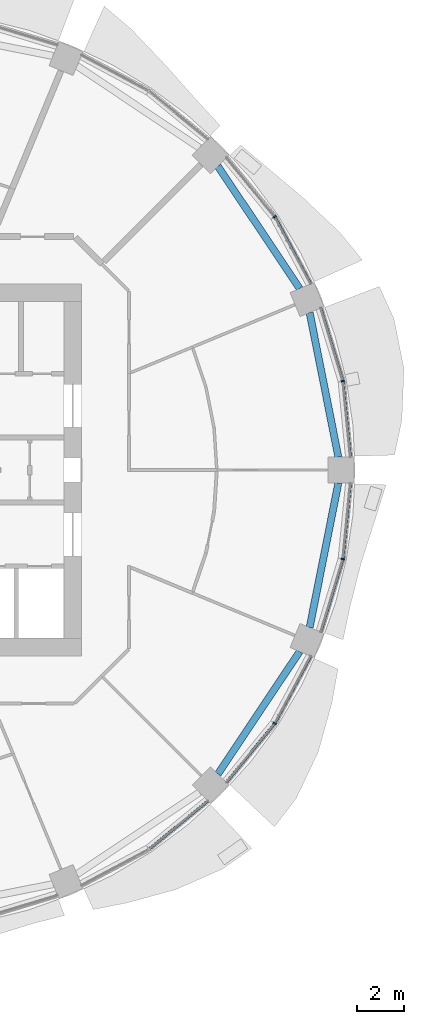
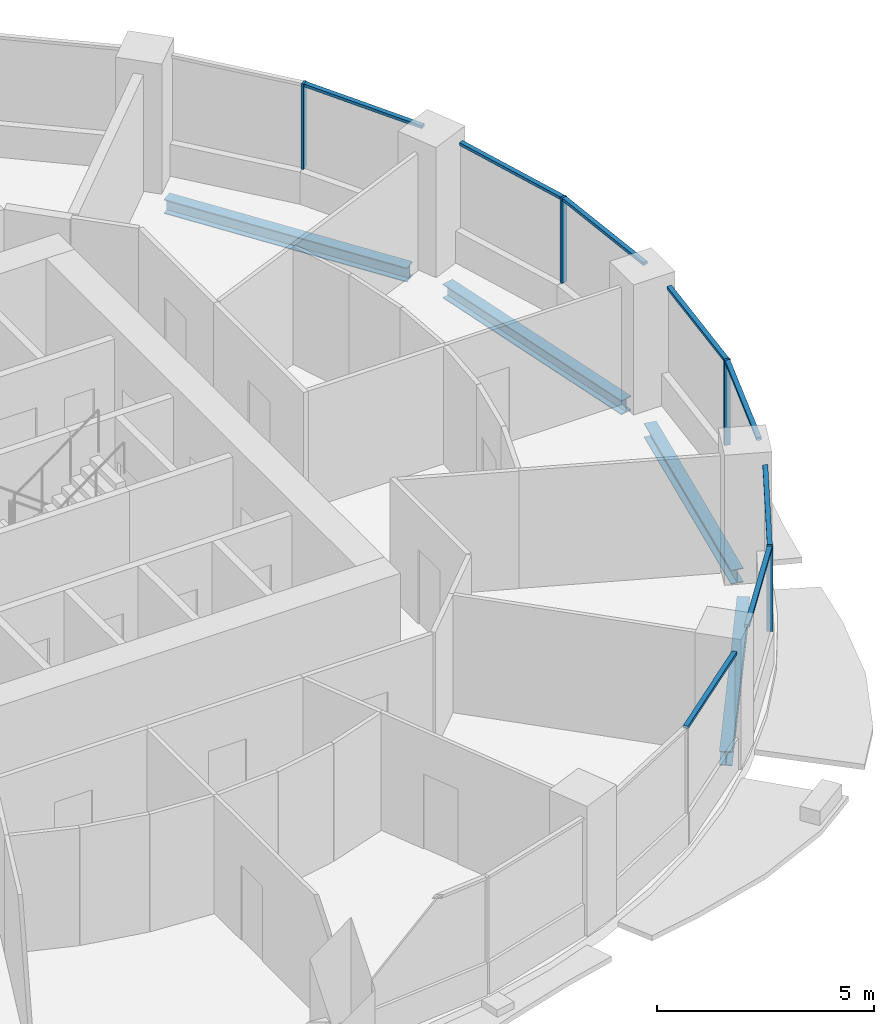
# One storey, part 5 of 15: 12 members, 4 beams, 5 elements without a shape of their own.
"""IFC4 building model written with IfcOpenShell, lengths in metres."""

from ifc_helpers import new_model, si_unit, direction, frame, origin, origin_2d, place, context, subcontext, project, spatial, rectangle, i_section, extrude, material, material_profile, profile_set, type_object, element, aggregate, save


model = new_model("IFC4")

# Units and contexts
model_context = context("Model", 3, precision=1e-05, world=origin(), true_north=direction((0.0, 1.0)))
body_context = subcontext(model_context, "Body", "Model", "MODEL_VIEW")
ifc_project = project(units=[si_unit("LENGTHUNIT", "METRE"), si_unit("AREAUNIT", "SQUARE_METRE"), si_unit("VOLUMEUNIT", "CUBIC_METRE"), si_unit("PLANEANGLEUNIT", "RADIAN"), si_unit("MASSUNIT", "GRAM", prefix="KILO")], contexts=[model_context])

# Site, building, storey
site_placement = place(None, origin())
site = spatial("IfcSite", under=ifc_project, at=site_placement, CompositionType="ELEMENT")
building_placement = place(site_placement, origin())
building = spatial("IfcBuilding", under=site, at=building_placement, Name="Polderwave Tower", CompositionType="ELEMENT")
storey_placement = place(building_placement, frame((0.0, 0.0, 72.75)))
storey = spatial("IfcBuildingStorey", under=building, at=storey_placement, Name="L18", CompositionType="ELEMENT", Elevation=72.75)

# Curtain wall, member
ifc_material_1 = material(Name="Aluminium 6063-T6 and glass", Category="aluminium")
curtain_wall_type = type_object("IfcCurtainWallType", Name="Growing floor ribbon glazing wall", PredefinedType="NOTDEFINED", material=ifc_material_1)
curtain_wall_1_placement = place(storey_placement, origin())
curtain_wall_1 = element("IfcCurtainWall", 1, at=curtain_wall_1_placement, inside=storey, type_object=curtain_wall_type, Name="CW2 L18 00", PredefinedType="NOTDEFINED")
ifc_material_2 = material(Name="Aluminium 6063-T6", Category="aluminium")
ifc_material_profile_1 = material_profile(ifc_material_2, rectangle(XDim=0.14990234375, YDim=0.06005859375, at=origin_2d()), Name="AL 60x150")
ifc_profile_set_1 = profile_set([ifc_material_profile_1], Name="Aluminium 6063-T6")
member_type_1 = type_object("IfcMemberType", Name="Growing floor ribbon glazing mullion 60x150", PredefinedType="MULLION", material=ifc_profile_set_1)
member_1_placement = place(storey_placement, frame((18.9189453125, 3.762939453125, 0.89990234375), z_axis=(0.0, 0.0, 1.0), x_axis=(-0.980778810424, -0.19512284598, 0.0)))
member_1 = element("IfcMember", 2, at=member_1_placement, type_object=member_type_1, Name="CW2 mullion 1", PredefinedType="MULLION", context=body_context, shape_type="SweptSolid", body=[
    extrude(rectangle(XDim=0.14990234375, YDim=0.06005859375, at=origin_2d()), origin(), (0.0, 0.0, 1.0), 2.400146484375),
])

curtain_wall_2_placement = place(storey_placement, origin())
curtain_wall_2 = element("IfcCurtainWall", 3, at=curtain_wall_2_placement, inside=storey, type_object=curtain_wall_type, Name="CW2 L18 01", PredefinedType="NOTDEFINED")
member_2_placement = place(storey_placement, frame((16.0390625, 10.717041015625, 0.89990234375), z_axis=(0.0, 0.0, 1.0), x_axis=(-0.831519061311, -0.555496220219, 0.0)))
member_2 = element("IfcMember", 4, at=member_2_placement, type_object=member_type_1, Name="CW2 mullion 1", PredefinedType="MULLION", context=body_context, shape_type="SweptSolid", body=[
    extrude(rectangle(XDim=0.14990234375, YDim=0.06005859375, at=origin_2d()), origin(), (0.0, 0.0, 1.0), 2.400146484375),
])

curtain_wall_3_placement = place(storey_placement, origin())
curtain_wall_3 = element("IfcCurtainWall", 5, at=curtain_wall_3_placement, inside=storey, type_object=curtain_wall_type, Name="CW2 L18 14", PredefinedType="NOTDEFINED")
member_3_placement = place(storey_placement, frame((16.0390625, -10.717041015625, 0.89990234375), z_axis=(0.0, 0.0, 1.0), x_axis=(-0.831519061311, 0.555496220219, 0.0)))
member_3 = element("IfcMember", 6, at=member_3_placement, type_object=member_type_1, Name="CW2 mullion 1", PredefinedType="MULLION", context=body_context, shape_type="SweptSolid", body=[
    extrude(rectangle(XDim=0.14990234375, YDim=0.06005859375, at=origin_2d()), origin(), (0.0, 0.0, 1.0), 2.400146484375),
])

curtain_wall_4_placement = place(storey_placement, origin())
curtain_wall_4 = element("IfcCurtainWall", 7, at=curtain_wall_4_placement, inside=storey, type_object=curtain_wall_type, Name="CW2 L18 15", PredefinedType="NOTDEFINED")
member_4_placement = place(storey_placement, frame((18.9189453125, -3.762939453125, 0.89990234375), z_axis=(0.0, 0.0, 1.0), x_axis=(-0.980778810424, 0.19512284598, 0.0)))
member_4 = element("IfcMember", 8, at=member_4_placement, type_object=member_type_1, Name="CW2 mullion 1", PredefinedType="MULLION", context=body_context, shape_type="SweptSolid", body=[
    extrude(rectangle(XDim=0.14990234375, YDim=0.06005859375, at=origin_2d()), origin(), (0.0, 0.0, 1.0), 2.400146484375),
])

# Member
ifc_material_profile_2 = material_profile(ifc_material_2, rectangle(XDim=0.1201171875, YDim=0.080078125, at=origin_2d()), Name="AL 80x120")
ifc_profile_set_2 = profile_set([ifc_material_profile_2], Name="Aluminium 6063-T6")
member_type_2 = type_object("IfcMemberType", Name="Growing floor ribbon glazing transom 80x120", PredefinedType="USERDEFINED", material=ifc_profile_set_2)
member_5_placement = place(storey_placement, frame((19.236083984375, 0.550048828125, 3.260009765625), z_axis=(-0.098234025198, 0.995163341514, 0.0), x_axis=(-0.995163341514, -0.098234025198, 0.0)))
member_5 = element("IfcMember", 9, at=member_5_placement, type_object=member_type_2, Name="CW2 transom 1", ObjectType="TRANSOM", PredefinedType="USERDEFINED", context=body_context, shape_type="SweptSolid", body=[
    extrude(rectangle(XDim=0.1201171875, YDim=0.080078125, at=origin_2d()), origin(), (0.0, 0.0, 1.0), 3.198486328125),
])

member_6_placement = place(storey_placement, frame((18.910400390625, 3.791748046875, 3.260009765625), z_axis=(-0.290238267171, 0.956954412848, 0.0), x_axis=(-0.956954412848, -0.290238267171, 0.0)))
member_6 = element("IfcMember", 10, at=member_6_placement, type_object=member_type_2, Name="CW2 transom 2", ObjectType="TRANSOM", PredefinedType="USERDEFINED", context=body_context, shape_type="SweptSolid", body=[
    extrude(rectangle(XDim=0.1201171875, YDim=0.080078125, at=origin_2d()), origin(), (0.0, 0.0, 1.0), 3.198974609375),
])

aggregate(curtain_wall_1, [member_1, member_5, member_6])

member_7_placement = place(storey_placement, frame((17.56103515625, 7.868896484375, 3.260009765625), z_axis=(-0.471376247819, 0.881932215645, 0.0), x_axis=(-0.881932215645, -0.471376247819, 0.0)))
member_7 = element("IfcMember", 11, at=member_7_placement, type_object=member_type_2, Name="CW2 transom 1", ObjectType="TRANSOM", PredefinedType="USERDEFINED", context=body_context, shape_type="SweptSolid", body=[
    extrude(rectangle(XDim=0.1201171875, YDim=0.080078125, at=origin_2d()), origin(), (0.0, 0.0, 1.0), 3.19921875),
])

aggregate(curtain_wall_2, [member_2, member_7])

# Curtain wall, member
curtain_wall_5_placement = place(storey_placement, origin())
curtain_wall_5 = element("IfcCurtainWall", 12, at=curtain_wall_5_placement, inside=storey, type_object=curtain_wall_type, Name="CW2 L18 13", PredefinedType="NOTDEFINED")
member_8_placement = place(storey_placement, frame((10.740234375, -16.02001953125, 3.260009765625), z_axis=(0.773041698987, 0.634355209348, 0.0), x_axis=(-0.634355209348, 0.773041698987, 0.0)))
member_8 = element("IfcMember", 13, at=member_8_placement, type_object=member_type_2, Name="CW2 transom 2", ObjectType="TRANSOM", PredefinedType="USERDEFINED", context=body_context, shape_type="SweptSolid", body=[
    extrude(rectangle(XDim=0.1201171875, YDim=0.080078125, at=origin_2d()), origin(), (0.0, 0.0, 1.0), 3.198486328125),
])
aggregate(curtain_wall_5, [member_8])

# Member
member_9_placement = place(storey_placement, frame((13.990966796875, -13.212890625, 3.260009765625), z_axis=(0.634355209348, 0.773041698987, 0.0), x_axis=(-0.773041698987, 0.634355209348, 0.0)))
member_9 = element("IfcMember", 14, at=member_9_placement, type_object=member_type_2, Name="CW2 transom 1", ObjectType="TRANSOM", PredefinedType="USERDEFINED", context=body_context, shape_type="SweptSolid", body=[
    extrude(rectangle(XDim=0.1201171875, YDim=0.080078125, at=origin_2d()), origin(), (0.0, 0.0, 1.0), 3.198486328125),
])

member_10_placement = place(storey_placement, frame((16.052978515625, -10.6904296875, 3.260009765625), z_axis=(0.471376247819, 0.881932215645, 0.0), x_axis=(-0.881932215645, 0.471376247819, 0.0)))
member_10 = element("IfcMember", 15, at=member_10_placement, type_object=member_type_2, Name="CW2 transom 2", ObjectType="TRANSOM", PredefinedType="USERDEFINED", context=body_context, shape_type="SweptSolid", body=[
    extrude(rectangle(XDim=0.1201171875, YDim=0.080078125, at=origin_2d()), origin(), (0.0, 0.0, 1.0), 3.19921875),
])

aggregate(curtain_wall_3, [member_3, member_9, member_10])

member_11_placement = place(storey_placement, frame((17.98193359375, -6.85302734375, 3.260009765625), z_axis=(0.290238267171, 0.956954412848, 0.0), x_axis=(-0.956954412848, 0.290238267171, 0.0)))
member_11 = element("IfcMember", 16, at=member_11_placement, type_object=member_type_2, Name="CW2 transom 1", ObjectType="TRANSOM", PredefinedType="USERDEFINED", context=body_context, shape_type="SweptSolid", body=[
    extrude(rectangle(XDim=0.1201171875, YDim=0.080078125, at=origin_2d()), origin(), (0.0, 0.0, 1.0), 3.198974609375),
])

member_12_placement = place(storey_placement, frame((18.921875, -3.733154296875, 3.260009765625), z_axis=(0.098234025198, 0.995163341514, 0.0), x_axis=(-0.995163341514, 0.098234025198, 0.0)))
member_12 = element("IfcMember", 17, at=member_12_placement, type_object=member_type_2, Name="CW2 transom 2", ObjectType="TRANSOM", PredefinedType="USERDEFINED", context=body_context, shape_type="SweptSolid", body=[
    extrude(rectangle(XDim=0.1201171875, YDim=0.080078125, at=origin_2d()), origin(), (0.0, 0.0, 1.0), 3.198486328125),
])

aggregate(curtain_wall_4, [member_4, member_11, member_12])

# Beams
ifc_material_3 = material(Name="Steel S355", Category="steel")
ifc_material_profile_3 = material_profile(ifc_material_3, i_section(OverallWidth=0.300048828125, OverallDepth=0.39990234375, WebThickness=0.013427734375, FlangeThickness=0.02392578125, at=origin_2d()), Name="HE 400 B")
ifc_profile_set_3 = profile_set([ifc_material_profile_3], Name="Steel S355")
beam_type = type_object("IfcBeamType", Name="RING BEAM HE 400 B", PredefinedType="BEAM", material=ifc_profile_set_3)
beam_1_placement = place(storey_placement, frame((18.730712890625, 0.550048828125, -0.550048828125), z_axis=(-0.195098540955, 0.980783645519, 0.0), x_axis=(-0.980783645519, -0.195098540955, 0.0)))
element("IfcBeam", 18, at=beam_1_placement, inside=storey, type_object=beam_type, Name="ST-RB-L18-00", PredefinedType="BEAM", context=body_context, shape_type="SweptSolid", body=[
    extrude(i_section(OverallWidth=0.300048828125, OverallDepth=0.39990234375, WebThickness=0.013427734375, FlangeThickness=0.02392578125, at=origin_2d()), origin(), (0.0, 0.0, 1.0), 6.229248046875),
])
for number, where, z_axis, x_axis, name in (
    (19, (17.09423828125, 7.676025390625, -0.550048828125), (-0.555541024975, 0.831489127752, 0.0), (-0.831489127752, -0.555541024975, 0.0), "ST-RB-L18-01"),
    (20, (13.633544921875, -12.855712890625, -0.550048828125), (0.555541024975, 0.831489127752, 0.0), (-0.831489127752, 0.555541024975, 0.0), "ST-RB-L18-14"),
):
    element("IfcBeam", number, at=place(storey_placement, frame(where, z_axis=z_axis, x_axis=x_axis)), inside=storey, type_object=beam_type, Name=name, PredefinedType="BEAM", context=body_context, shape_type="SweptSolid", body=[
        extrude(i_section(OverallWidth=0.300048828125, OverallDepth=0.39990234375, WebThickness=0.013427734375, FlangeThickness=0.02392578125, at=origin_2d()), origin(), (0.0, 0.0, 1.0), 6.2294921875),
    ])
beam_2_placement = place(storey_placement, frame((17.515380859375, -6.65966796875, -0.550048828125), z_axis=(0.195098540955, 0.980783645519, 0.0), x_axis=(-0.980783645519, 0.195098540955, 0.0)))
element("IfcBeam", 21, at=beam_2_placement, inside=storey, type_object=beam_type, Name="ST-RB-L18-15", PredefinedType="BEAM", context=body_context, shape_type="SweptSolid", body=[
    extrude(i_section(OverallWidth=0.300048828125, OverallDepth=0.39990234375, WebThickness=0.013427734375, FlangeThickness=0.02392578125, at=origin_2d()), origin(), (0.0, 0.0, 1.0), 6.229248046875),
])

save(model, "model.ifc")
